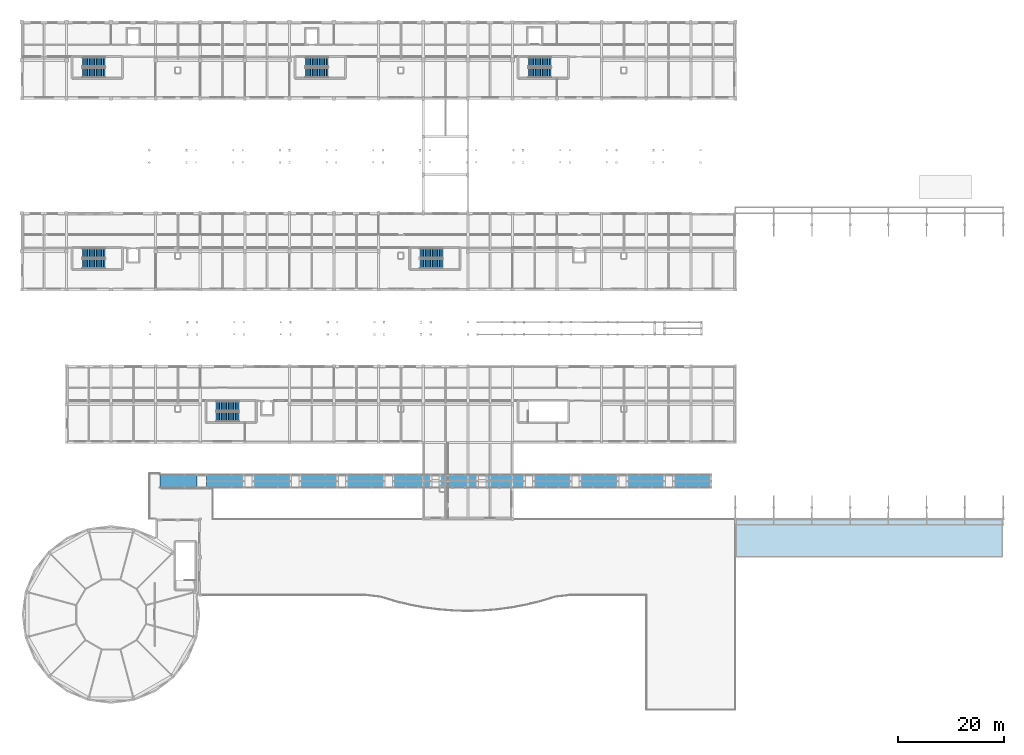
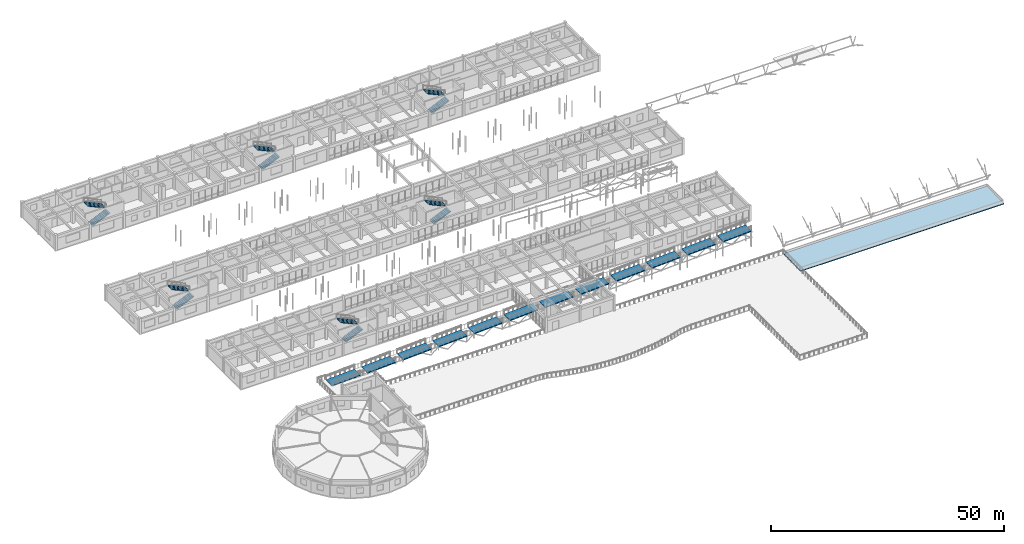
# One storey, part 80 of 90: 12 ramp flights, 12 stair flights, 1 roof, 7 elements without a shape of their own.
"""IFC4 building model written with IfcOpenShell, lengths in metres."""

from ifc_helpers import new_model, si_unit, direction, frame, origin, place, context, subcontext, project, spatial, polyline, outline, extrude, material, layer, layer_set, type_object, element, aggregate, save


model = new_model("IFC4")

# Units and contexts
model_context = context("Model", 3, precision=1e-05, world=origin(), true_north=direction((0.0, 1.0)))
body_context = subcontext(model_context, "Body", "Model", "MODEL_VIEW")
ifc_project = project(units=[si_unit("LENGTHUNIT", "METRE"), si_unit("AREAUNIT", "SQUARE_METRE"), si_unit("VOLUMEUNIT", "CUBIC_METRE"), si_unit("PLANEANGLEUNIT", "RADIAN"), si_unit("MASSUNIT", "GRAM", prefix="KILO")], contexts=[model_context])

# Site, building, storey
site_placement = place(None, origin())
site = spatial("IfcSite", under=ifc_project, at=site_placement, CompositionType="ELEMENT")
building_placement = place(site_placement, origin())
building = spatial("IfcBuilding", under=site, at=building_placement, Name="Malvenik Polytechnic", CompositionType="ELEMENT")
storey_placement = place(building_placement, frame((0.0, 0.0, 9.300048828125)))
storey = spatial("IfcBuildingStorey", under=building, at=storey_placement, Name="L02", CompositionType="ELEMENT", Elevation=9.300048828125)

# Stair, stair flights
ifc_material_1 = material(Name="Concrete C35/45", Category="concrete")
stair_type_1 = type_object("IfcStairType", Name="ARC-STR-ST-01", PredefinedType="HALF_TURN_STAIR", material=ifc_material_1)
stair_1_placement = place(storey_placement, origin())
stair_1 = element("IfcStair", 1, at=stair_1_placement, inside=storey, type_object=stair_type_1, Name="L02 Escape Stair ST-01", PredefinedType="HALF_TURN_STAIR")
ifc_layer_1 = layer(ifc_material_1, 0.159912109375)
ifc_layer_set_1 = layer_set([ifc_layer_1], Name="Concrete C35/45")
stair_flight_type_1 = type_object("IfcStairFlightType", Name="ARC-SFL-SFL-180A", PredefinedType="STRAIGHT", material=ifc_layer_set_1)
stair_flight_1_placement = place(storey_placement, frame((11.39990234375, 120.050048828125, 0.0), z_axis=(0.0, 0.0, 1.0), x_axis=(1.0, 0.0, 0.0)))
stair_flight_1 = element("IfcStairFlight", 2, at=stair_flight_1_placement, type_object=stair_flight_type_1, Name="ST-01 flight 1", NumberOfRisers=14, NumberOfTreads=13, PredefinedType="STRAIGHT", RiserHeight=0.15, TreadLength=0.33, context=body_context, shape_type="SweptSolid", body=[
    extrude(outline(polyline([(0.0, 0.0), (0.0, 0.14990234375), (0.330078125, 0.14990234375), (0.330078125, 0.300048828125), (0.659912109375, 0.300048828125), (0.659912109375, 0.449951171875), (0.989990234375, 0.449951171875), (0.989990234375, 0.60009765625), (1.320068359375, 0.60009765625), (1.320068359375, 0.75), (1.64990234375, 0.75), (1.64990234375, 0.89990234375), (1.97998046875, 0.89990234375), (1.97998046875, 1.050048828125), (2.31005859375, 1.050048828125), (2.31005859375, 1.199951171875), (2.639892578125, 1.199951171875), (2.639892578125, 1.35009765625), (2.969970703125, 1.35009765625), (2.969970703125, 1.5), (3.300048828125, 1.5), (3.300048828125, 1.64990234375), (3.6298828125, 1.64990234375), (3.6298828125, 1.800048828125), (3.9599609375, 1.800048828125), (3.9599609375, 1.949951171875), (4.2900390625, 1.949951171875), (4.2900390625, 2.10009765625), (4.2900390625, 1.7744140625), (0.386474609375, 0.0), (0.0, 0.0)])), frame((0.0, 0.89990234375, 0.0), z_axis=(0.0, -1.0, 0.0), x_axis=(1.0, 0.0, 0.0)), (0.0, 0.0, 1.0), 1.800048828125),
])
stair_flight_2_placement = place(storey_placement, frame((15.68994140625, 122.050048828125, 2.099853515625), z_axis=(0.0, 0.0, 1.0), x_axis=(-1.0, 0.0, 0.0)))
stair_flight_2 = element("IfcStairFlight", 3, at=stair_flight_2_placement, type_object=stair_flight_type_1, Name="ST-01 flight 2", NumberOfRisers=14, NumberOfTreads=13, PredefinedType="STRAIGHT", RiserHeight=0.15, TreadLength=0.33, context=body_context, shape_type="SweptSolid", body=[
    extrude(outline(polyline([(0.0, 0.0), (0.0, 0.14990234375), (0.330078125, 0.14990234375), (0.330078125, 0.300048828125), (0.659912109375, 0.300048828125), (0.659912109375, 0.449951171875), (0.989990234375, 0.449951171875), (0.989990234375, 0.60009765625), (1.320068359375, 0.60009765625), (1.320068359375, 0.75), (1.64990234375, 0.75), (1.64990234375, 0.89990234375), (1.97998046875, 0.89990234375), (1.97998046875, 1.050048828125), (2.31005859375, 1.050048828125), (2.31005859375, 1.199951171875), (2.639892578125, 1.199951171875), (2.639892578125, 1.35009765625), (2.969970703125, 1.35009765625), (2.969970703125, 1.5), (3.300048828125, 1.5), (3.300048828125, 1.64990234375), (3.6298828125, 1.64990234375), (3.6298828125, 1.800048828125), (3.9599609375, 1.800048828125), (3.9599609375, 1.949951171875), (4.2900390625, 1.949951171875), (4.2900390625, 2.10009765625), (4.2900390625, 1.7744140625), (0.386474609375, 0.0), (0.0, 0.0)])), frame((0.0, 0.89990234375, 0.0), z_axis=(0.0, -1.0, 0.0), x_axis=(1.0, 0.0, 0.0)), (0.0, 0.0, 1.0), 1.800048828125),
])
aggregate(stair_1, [stair_flight_1, stair_flight_2])

stair_type_2 = type_object("IfcStairType", Name="ARC-STR-ST-03", PredefinedType="HALF_TURN_STAIR", material=ifc_material_1)
stair_2_placement = place(storey_placement, origin())
stair_2 = element("IfcStair", 4, at=stair_2_placement, inside=storey, type_object=stair_type_2, Name="L02 Escape Stair ST-03", PredefinedType="HALF_TURN_STAIR")
stair_flight_3_placement = place(storey_placement, frame((95.39990234375, 120.050048828125, 0.0), z_axis=(0.0, 0.0, 1.0), x_axis=(1.0, 0.0, 0.0)))
stair_flight_3 = element("IfcStairFlight", 5, at=stair_flight_3_placement, type_object=stair_flight_type_1, Name="ST-03 flight 1", NumberOfRisers=14, NumberOfTreads=13, PredefinedType="STRAIGHT", RiserHeight=0.15, TreadLength=0.33, context=body_context, shape_type="SweptSolid", body=[
    extrude(outline(polyline([(0.0, 0.0), (0.0, 0.14990234375), (0.330078125, 0.14990234375), (0.330078125, 0.300048828125), (0.659912109375, 0.300048828125), (0.659912109375, 0.449951171875), (0.989990234375, 0.449951171875), (0.989990234375, 0.60009765625), (1.320068359375, 0.60009765625), (1.320068359375, 0.75), (1.64990234375, 0.75), (1.64990234375, 0.89990234375), (1.97998046875, 0.89990234375), (1.97998046875, 1.050048828125), (2.31005859375, 1.050048828125), (2.31005859375, 1.199951171875), (2.639892578125, 1.199951171875), (2.639892578125, 1.35009765625), (2.969970703125, 1.35009765625), (2.969970703125, 1.5), (3.300048828125, 1.5), (3.300048828125, 1.64990234375), (3.6298828125, 1.64990234375), (3.6298828125, 1.800048828125), (3.9599609375, 1.800048828125), (3.9599609375, 1.949951171875), (4.2900390625, 1.949951171875), (4.2900390625, 2.10009765625), (4.2900390625, 1.7744140625), (0.386474609375, 0.0), (0.0, 0.0)])), frame((0.0, 0.89990234375, 0.0), z_axis=(0.0, -1.0, 0.0), x_axis=(1.0, 0.0, 0.0)), (0.0, 0.0, 1.0), 1.800048828125),
])
stair_flight_4_placement = place(storey_placement, frame((99.68994140625, 122.050048828125, 2.099853515625), z_axis=(0.0, 0.0, 1.0), x_axis=(-1.0, 0.0, 0.0)))
stair_flight_4 = element("IfcStairFlight", 6, at=stair_flight_4_placement, type_object=stair_flight_type_1, Name="ST-03 flight 2", NumberOfRisers=14, NumberOfTreads=13, PredefinedType="STRAIGHT", RiserHeight=0.15, TreadLength=0.33, context=body_context, shape_type="SweptSolid", body=[
    extrude(outline(polyline([(0.0, 0.0), (0.0, 0.14990234375), (0.330078125, 0.14990234375), (0.330078125, 0.300048828125), (0.659912109375, 0.300048828125), (0.659912109375, 0.449951171875), (0.989990234375, 0.449951171875), (0.989990234375, 0.60009765625), (1.320068359375, 0.60009765625), (1.320068359375, 0.75), (1.64990234375, 0.75), (1.64990234375, 0.89990234375), (1.97998046875, 0.89990234375), (1.97998046875, 1.050048828125), (2.31005859375, 1.050048828125), (2.31005859375, 1.199951171875), (2.639892578125, 1.199951171875), (2.639892578125, 1.35009765625), (2.969970703125, 1.35009765625), (2.969970703125, 1.5), (3.300048828125, 1.5), (3.300048828125, 1.64990234375), (3.6298828125, 1.64990234375), (3.6298828125, 1.800048828125), (3.9599609375, 1.800048828125), (3.9599609375, 1.949951171875), (4.2900390625, 1.949951171875), (4.2900390625, 2.10009765625), (4.2900390625, 1.7744140625), (0.386474609375, 0.0), (0.0, 0.0)])), frame((0.0, 0.89990234375, 0.0), z_axis=(0.0, -1.0, 0.0), x_axis=(1.0, 0.0, 0.0)), (0.0, 0.0, 1.0), 1.800048828125),
])
aggregate(stair_2, [stair_flight_3, stair_flight_4])

stair_type_3 = type_object("IfcStairType", Name="ARC-STR-ST-05", PredefinedType="HALF_TURN_STAIR", material=ifc_material_1)
stair_3_placement = place(storey_placement, origin())
stair_3 = element("IfcStair", 7, at=stair_3_placement, inside=storey, type_object=stair_type_3, Name="L02 Escape Stair ST-05", PredefinedType="HALF_TURN_STAIR")
stair_flight_5_placement = place(storey_placement, frame((75.0, 84.050048828125, 0.0), z_axis=(0.0, 0.0, 1.0), x_axis=(1.0, 0.0, 0.0)))
stair_flight_5 = element("IfcStairFlight", 8, at=stair_flight_5_placement, type_object=stair_flight_type_1, Name="ST-05 flight 1", NumberOfRisers=14, NumberOfTreads=13, PredefinedType="STRAIGHT", RiserHeight=0.15, TreadLength=0.33, context=body_context, shape_type="SweptSolid", body=[
    extrude(outline(polyline([(0.0, 0.0), (0.0, 0.14990234375), (0.330078125, 0.14990234375), (0.330078125, 0.300048828125), (0.659912109375, 0.300048828125), (0.659912109375, 0.449951171875), (0.989990234375, 0.449951171875), (0.989990234375, 0.60009765625), (1.320068359375, 0.60009765625), (1.320068359375, 0.75), (1.64990234375, 0.75), (1.64990234375, 0.89990234375), (1.97998046875, 0.89990234375), (1.97998046875, 1.050048828125), (2.31005859375, 1.050048828125), (2.31005859375, 1.199951171875), (2.639892578125, 1.199951171875), (2.639892578125, 1.35009765625), (2.969970703125, 1.35009765625), (2.969970703125, 1.5), (3.300048828125, 1.5), (3.300048828125, 1.64990234375), (3.6298828125, 1.64990234375), (3.6298828125, 1.800048828125), (3.9599609375, 1.800048828125), (3.9599609375, 1.949951171875), (4.2900390625, 1.949951171875), (4.2900390625, 2.10009765625), (4.2900390625, 1.7744140625), (0.386474609375, 0.0), (0.0, 0.0)])), frame((0.0, 0.89990234375, 0.0), z_axis=(0.0, -1.0, 0.0), x_axis=(1.0, 0.0, 0.0)), (0.0, 0.0, 1.0), 1.800048828125),
])
stair_flight_6_placement = place(storey_placement, frame((79.2900390625, 86.050048828125, 2.099853515625), z_axis=(0.0, 0.0, 1.0), x_axis=(-1.0, 0.0, 0.0)))
stair_flight_6 = element("IfcStairFlight", 9, at=stair_flight_6_placement, type_object=stair_flight_type_1, Name="ST-05 flight 2", NumberOfRisers=14, NumberOfTreads=13, PredefinedType="STRAIGHT", RiserHeight=0.15, TreadLength=0.33, context=body_context, shape_type="SweptSolid", body=[
    extrude(outline(polyline([(0.0, 0.0), (0.0, 0.14990234375), (0.330078125, 0.14990234375), (0.330078125, 0.300048828125), (0.659912109375, 0.300048828125), (0.659912109375, 0.449951171875), (0.989990234375, 0.449951171875), (0.989990234375, 0.60009765625), (1.320068359375, 0.60009765625), (1.320068359375, 0.75), (1.64990234375, 0.75), (1.64990234375, 0.89990234375), (1.97998046875, 0.89990234375), (1.97998046875, 1.050048828125), (2.31005859375, 1.050048828125), (2.31005859375, 1.199951171875), (2.639892578125, 1.199951171875), (2.639892578125, 1.35009765625), (2.969970703125, 1.35009765625), (2.969970703125, 1.5), (3.300048828125, 1.5), (3.300048828125, 1.64990234375), (3.6298828125, 1.64990234375), (3.6298828125, 1.800048828125), (3.9599609375, 1.800048828125), (3.9599609375, 1.949951171875), (4.2900390625, 1.949951171875), (4.2900390625, 2.10009765625), (4.2900390625, 1.7744140625), (0.386474609375, 0.0), (0.0, 0.0)])), frame((0.0, 0.89990234375, 0.0), z_axis=(0.0, -1.0, 0.0), x_axis=(1.0, 0.0, 0.0)), (0.0, 0.0, 1.0), 1.800048828125),
])
aggregate(stair_3, [stair_flight_5, stair_flight_6])

stair_type_4 = type_object("IfcStairType", Name="ARC-STR-ST-02", PredefinedType="HALF_TURN_STAIR", material=ifc_material_1)
stair_4_placement = place(storey_placement, origin())
stair_4 = element("IfcStair", 10, at=stair_4_placement, inside=storey, type_object=stair_type_4, Name="L02 Escape Stair ST-02", PredefinedType="HALF_TURN_STAIR")
ifc_layer_2 = layer(ifc_material_1, 0.179931640625)
ifc_layer_set_2 = layer_set([ifc_layer_2], Name="Concrete C35/45")
stair_flight_type_2 = type_object("IfcStairFlightType", Name="ARC-SFL-SFL-180B", PredefinedType="STRAIGHT", material=ifc_layer_set_2)
stair_flight_7_placement = place(storey_placement, frame((53.39990234375, 120.050048828125, 0.0), z_axis=(0.0, 0.0, 1.0), x_axis=(1.0, 0.0, 0.0)))
stair_flight_7 = element("IfcStairFlight", 11, at=stair_flight_7_placement, type_object=stair_flight_type_2, Name="ST-02 flight 1", NumberOfRisers=14, NumberOfTreads=13, PredefinedType="STRAIGHT", RiserHeight=0.15, TreadLength=0.33, context=body_context, shape_type="SweptSolid", body=[
    extrude(outline(polyline([(0.0, 0.0), (0.0, 0.14990234375), (0.330078125, 0.14990234375), (0.330078125, 0.300048828125), (0.659912109375, 0.300048828125), (0.659912109375, 0.449951171875), (0.989990234375, 0.449951171875), (0.989990234375, 0.60009765625), (1.320068359375, 0.60009765625), (1.320068359375, 0.75), (1.64990234375, 0.75), (1.64990234375, 0.89990234375), (1.97998046875, 0.89990234375), (1.97998046875, 1.050048828125), (2.31005859375, 1.050048828125), (2.31005859375, 1.199951171875), (2.639892578125, 1.199951171875), (2.639892578125, 1.35009765625), (2.969970703125, 1.35009765625), (2.969970703125, 1.5), (3.300048828125, 1.5), (3.300048828125, 1.64990234375), (3.6298828125, 1.64990234375), (3.6298828125, 1.800048828125), (3.9599609375, 1.800048828125), (3.9599609375, 1.949951171875), (4.2900390625, 1.949951171875), (4.2900390625, 2.10009765625), (4.2900390625, 1.7744140625), (0.386474609375, 0.0), (0.0, 0.0)])), frame((0.0, 0.89990234375, 0.0), z_axis=(0.0, -1.0, 0.0), x_axis=(1.0, 0.0, 0.0)), (0.0, 0.0, 1.0), 1.800048828125),
])
stair_flight_8_placement = place(storey_placement, frame((57.68994140625, 122.050048828125, 2.099853515625), z_axis=(0.0, 0.0, 1.0), x_axis=(-1.0, 0.0, 0.0)))
stair_flight_8 = element("IfcStairFlight", 12, at=stair_flight_8_placement, type_object=stair_flight_type_2, Name="ST-02 flight 2", NumberOfRisers=14, NumberOfTreads=13, PredefinedType="STRAIGHT", RiserHeight=0.15, TreadLength=0.33, context=body_context, shape_type="SweptSolid", body=[
    extrude(outline(polyline([(0.0, 0.0), (0.0, 0.14990234375), (0.330078125, 0.14990234375), (0.330078125, 0.300048828125), (0.659912109375, 0.300048828125), (0.659912109375, 0.449951171875), (0.989990234375, 0.449951171875), (0.989990234375, 0.60009765625), (1.320068359375, 0.60009765625), (1.320068359375, 0.75), (1.64990234375, 0.75), (1.64990234375, 0.89990234375), (1.97998046875, 0.89990234375), (1.97998046875, 1.050048828125), (2.31005859375, 1.050048828125), (2.31005859375, 1.199951171875), (2.639892578125, 1.199951171875), (2.639892578125, 1.35009765625), (2.969970703125, 1.35009765625), (2.969970703125, 1.5), (3.300048828125, 1.5), (3.300048828125, 1.64990234375), (3.6298828125, 1.64990234375), (3.6298828125, 1.800048828125), (3.9599609375, 1.800048828125), (3.9599609375, 1.949951171875), (4.2900390625, 1.949951171875), (4.2900390625, 2.10009765625), (4.2900390625, 1.7744140625), (0.386474609375, 0.0), (0.0, 0.0)])), frame((0.0, 0.89990234375, 0.0), z_axis=(0.0, -1.0, 0.0), x_axis=(1.0, 0.0, 0.0)), (0.0, 0.0, 1.0), 1.800048828125),
])
aggregate(stair_4, [stair_flight_7, stair_flight_8])

stair_type_5 = type_object("IfcStairType", Name="ARC-STR-ST-04", PredefinedType="HALF_TURN_STAIR", material=ifc_material_1)
stair_5_placement = place(storey_placement, origin())
stair_5 = element("IfcStair", 13, at=stair_5_placement, inside=storey, type_object=stair_type_5, Name="L02 Escape Stair ST-04", PredefinedType="HALF_TURN_STAIR")
stair_flight_9_placement = place(storey_placement, frame((11.39990234375, 84.050048828125, 0.0), z_axis=(0.0, 0.0, 1.0), x_axis=(1.0, 0.0, 0.0)))
stair_flight_9 = element("IfcStairFlight", 14, at=stair_flight_9_placement, type_object=stair_flight_type_2, Name="ST-04 flight 1", NumberOfRisers=14, NumberOfTreads=13, PredefinedType="STRAIGHT", RiserHeight=0.15, TreadLength=0.33, context=body_context, shape_type="SweptSolid", body=[
    extrude(outline(polyline([(0.0, 0.0), (0.0, 0.14990234375), (0.330078125, 0.14990234375), (0.330078125, 0.300048828125), (0.659912109375, 0.300048828125), (0.659912109375, 0.449951171875), (0.989990234375, 0.449951171875), (0.989990234375, 0.60009765625), (1.320068359375, 0.60009765625), (1.320068359375, 0.75), (1.64990234375, 0.75), (1.64990234375, 0.89990234375), (1.97998046875, 0.89990234375), (1.97998046875, 1.050048828125), (2.31005859375, 1.050048828125), (2.31005859375, 1.199951171875), (2.639892578125, 1.199951171875), (2.639892578125, 1.35009765625), (2.969970703125, 1.35009765625), (2.969970703125, 1.5), (3.300048828125, 1.5), (3.300048828125, 1.64990234375), (3.6298828125, 1.64990234375), (3.6298828125, 1.800048828125), (3.9599609375, 1.800048828125), (3.9599609375, 1.949951171875), (4.2900390625, 1.949951171875), (4.2900390625, 2.10009765625), (4.2900390625, 1.7744140625), (0.386474609375, 0.0), (0.0, 0.0)])), frame((0.0, 0.89990234375, 0.0), z_axis=(0.0, -1.0, 0.0), x_axis=(1.0, 0.0, 0.0)), (0.0, 0.0, 1.0), 1.800048828125),
])
stair_flight_10_placement = place(storey_placement, frame((15.68994140625, 86.050048828125, 2.099853515625), z_axis=(0.0, 0.0, 1.0), x_axis=(-1.0, 0.0, 0.0)))
stair_flight_10 = element("IfcStairFlight", 15, at=stair_flight_10_placement, type_object=stair_flight_type_2, Name="ST-04 flight 2", NumberOfRisers=14, NumberOfTreads=13, PredefinedType="STRAIGHT", RiserHeight=0.15, TreadLength=0.33, context=body_context, shape_type="SweptSolid", body=[
    extrude(outline(polyline([(0.0, 0.0), (0.0, 0.14990234375), (0.330078125, 0.14990234375), (0.330078125, 0.300048828125), (0.659912109375, 0.300048828125), (0.659912109375, 0.449951171875), (0.989990234375, 0.449951171875), (0.989990234375, 0.60009765625), (1.320068359375, 0.60009765625), (1.320068359375, 0.75), (1.64990234375, 0.75), (1.64990234375, 0.89990234375), (1.97998046875, 0.89990234375), (1.97998046875, 1.050048828125), (2.31005859375, 1.050048828125), (2.31005859375, 1.199951171875), (2.639892578125, 1.199951171875), (2.639892578125, 1.35009765625), (2.969970703125, 1.35009765625), (2.969970703125, 1.5), (3.300048828125, 1.5), (3.300048828125, 1.64990234375), (3.6298828125, 1.64990234375), (3.6298828125, 1.800048828125), (3.9599609375, 1.800048828125), (3.9599609375, 1.949951171875), (4.2900390625, 1.949951171875), (4.2900390625, 2.10009765625), (4.2900390625, 1.7744140625), (0.386474609375, 0.0), (0.0, 0.0)])), frame((0.0, 0.89990234375, 0.0), z_axis=(0.0, -1.0, 0.0), x_axis=(1.0, 0.0, 0.0)), (0.0, 0.0, 1.0), 1.800048828125),
])
aggregate(stair_5, [stair_flight_9, stair_flight_10])

stair_type_6 = type_object("IfcStairType", Name="ARC-STR-ST-06", PredefinedType="HALF_TURN_STAIR", material=ifc_material_1)
stair_6_placement = place(storey_placement, origin())
stair_6 = element("IfcStair", 16, at=stair_6_placement, inside=storey, type_object=stair_type_6, Name="L02 Escape Stair ST-06", PredefinedType="HALF_TURN_STAIR")
stair_flight_11_placement = place(storey_placement, frame((36.60009765625, 55.25, 0.0), z_axis=(0.0, 0.0, 1.0), x_axis=(1.0, 0.0, 0.0)))
stair_flight_11 = element("IfcStairFlight", 17, at=stair_flight_11_placement, type_object=stair_flight_type_2, Name="ST-06 flight 1", NumberOfRisers=14, NumberOfTreads=13, PredefinedType="STRAIGHT", RiserHeight=0.15, TreadLength=0.33, context=body_context, shape_type="SweptSolid", body=[
    extrude(outline(polyline([(0.0, 0.0), (0.0, 0.14990234375), (0.330078125, 0.14990234375), (0.330078125, 0.300048828125), (0.659912109375, 0.300048828125), (0.659912109375, 0.449951171875), (0.989990234375, 0.449951171875), (0.989990234375, 0.60009765625), (1.320068359375, 0.60009765625), (1.320068359375, 0.75), (1.64990234375, 0.75), (1.64990234375, 0.89990234375), (1.97998046875, 0.89990234375), (1.97998046875, 1.050048828125), (2.31005859375, 1.050048828125), (2.31005859375, 1.199951171875), (2.639892578125, 1.199951171875), (2.639892578125, 1.35009765625), (2.969970703125, 1.35009765625), (2.969970703125, 1.5), (3.300048828125, 1.5), (3.300048828125, 1.64990234375), (3.6298828125, 1.64990234375), (3.6298828125, 1.800048828125), (3.9599609375, 1.800048828125), (3.9599609375, 1.949951171875), (4.2900390625, 1.949951171875), (4.2900390625, 2.10009765625), (4.2900390625, 1.7744140625), (0.386474609375, 0.0), (0.0, 0.0)])), frame((0.0, 0.89990234375, 0.0), z_axis=(0.0, -1.0, 0.0), x_axis=(1.0, 0.0, 0.0)), (0.0, 0.0, 1.0), 1.800048828125),
])
stair_flight_12_placement = place(storey_placement, frame((40.889892578125, 57.25, 2.099853515625), z_axis=(0.0, 0.0, 1.0), x_axis=(-1.0, 0.0, 0.0)))
stair_flight_12 = element("IfcStairFlight", 18, at=stair_flight_12_placement, type_object=stair_flight_type_2, Name="ST-06 flight 2", NumberOfRisers=14, NumberOfTreads=13, PredefinedType="STRAIGHT", RiserHeight=0.15, TreadLength=0.33, context=body_context, shape_type="SweptSolid", body=[
    extrude(outline(polyline([(0.0, 0.0), (0.0, 0.14990234375), (0.330078125, 0.14990234375), (0.330078125, 0.300048828125), (0.659912109375, 0.300048828125), (0.659912109375, 0.449951171875), (0.989990234375, 0.449951171875), (0.989990234375, 0.60009765625), (1.320068359375, 0.60009765625), (1.320068359375, 0.75), (1.64990234375, 0.75), (1.64990234375, 0.89990234375), (1.97998046875, 0.89990234375), (1.97998046875, 1.050048828125), (2.31005859375, 1.050048828125), (2.31005859375, 1.199951171875), (2.639892578125, 1.199951171875), (2.639892578125, 1.35009765625), (2.969970703125, 1.35009765625), (2.969970703125, 1.5), (3.300048828125, 1.5), (3.300048828125, 1.64990234375), (3.6298828125, 1.64990234375), (3.6298828125, 1.800048828125), (3.9599609375, 1.800048828125), (3.9599609375, 1.949951171875), (4.2900390625, 1.949951171875), (4.2900390625, 2.10009765625), (4.2900390625, 1.7744140625), (0.386474609375, 0.0), (0.0, 0.0)])), frame((0.0, 0.89990234375, 0.0), z_axis=(0.0, -1.0, 0.0), x_axis=(1.0, 0.0, 0.0)), (0.0, 0.0, 1.0), 1.800048828125),
])
aggregate(stair_6, [stair_flight_11, stair_flight_12])

# Ramp, ramp flights
ramp_type = type_object("IfcRampType", Name="ARC-RMP-PED", PredefinedType="STRAIGHT_RUN_RAMP", material=ifc_material_1)
ramp_placement = place(storey_placement, origin())
ramp = element("IfcRamp", 19, at=ramp_placement, inside=storey, type_object=ramp_type, Name="Accessible Pedestrian Ramp RB-01", PredefinedType="STRAIGHT_RUN_RAMP")
ifc_layer_3 = layer(ifc_material_1, 0.25)
ifc_layer_set_3 = layer_set([ifc_layer_3], Name="Concrete C35/45")
ramp_flight_type = type_object("IfcRampFlightType", Name="ARC-RFL-PED", PredefinedType="STRAIGHT", material=ifc_layer_set_3)
ramp_flight_1_placement = place(storey_placement, frame((26.0, 43.10009765625, 0.0), z_axis=(0.0, 0.0, 1.0), x_axis=(1.0, 0.0, 0.0)))
ramp_flight_1 = element("IfcRampFlight", 20, at=ramp_flight_1_placement, type_object=ramp_flight_type, Name="Ramp Flight RB-01 #1", PredefinedType="STRAIGHT", context=body_context, shape_type="SweptSolid", body=[
    extrude(outline(polyline([(0.0, -0.25), (7.0, 0.099853515625), (7.0, 0.349853515625), (0.0, 0.0), (0.0, -0.25)])), frame((0.0, 1.300048828125, 0.0), z_axis=(0.0, -1.0, 0.0), x_axis=(1.0, 0.0, 0.0)), (0.0, 0.0, 1.0), 2.60009765625),
])
ramp_flight_2_placement = place(storey_placement, frame((34.800048828125, 43.10009765625, 0.349853515625), z_axis=(0.0, 0.0, 1.0), x_axis=(1.0, 0.0, 0.0)))
ramp_flight_2 = element("IfcRampFlight", 21, at=ramp_flight_2_placement, type_object=ramp_flight_type, Name="Ramp Flight RB-01 #2", PredefinedType="STRAIGHT", context=body_context, shape_type="SweptSolid", body=[
    extrude(outline(polyline([(0.0, -0.25), (7.0, 0.10009765625), (7.0, 0.35009765625), (0.0, 0.0), (0.0, -0.25)])), frame((0.0, 1.300048828125, 0.0), z_axis=(0.0, -1.0, 0.0), x_axis=(1.0, 0.0, 0.0)), (0.0, 0.0, 1.0), 2.60009765625),
])
ramp_flight_3_placement = place(storey_placement, frame((43.60009765625, 43.10009765625, 0.699951171875), z_axis=(0.0, 0.0, 1.0), x_axis=(1.0, 0.0, 0.0)))
ramp_flight_3 = element("IfcRampFlight", 22, at=ramp_flight_3_placement, type_object=ramp_flight_type, Name="Ramp Flight RB-01 #3", PredefinedType="STRAIGHT", context=body_context, shape_type="SweptSolid", body=[
    extrude(outline(polyline([(0.0, -0.25), (7.0, 0.10009765625), (7.0, 0.35009765625), (0.0, 0.0), (0.0, -0.25)])), frame((0.0, 1.300048828125, 0.0), z_axis=(0.0, -1.0, 0.0), x_axis=(1.0, 0.0, 0.0)), (0.0, 0.0, 1.0), 2.60009765625),
])
ramp_flight_4_placement = place(storey_placement, frame((52.39990234375, 43.10009765625, 1.050048828125), z_axis=(0.0, 0.0, 1.0), x_axis=(1.0, 0.0, 0.0)))
ramp_flight_4 = element("IfcRampFlight", 23, at=ramp_flight_4_placement, type_object=ramp_flight_type, Name="Ramp Flight RB-01 #4", PredefinedType="STRAIGHT", context=body_context, shape_type="SweptSolid", body=[
    extrude(outline(polyline([(0.0, -0.25), (7.0, 0.099853515625), (7.0, 0.349853515625), (0.0, 0.0), (0.0, -0.25)])), frame((0.0, 1.300048828125, 0.0), z_axis=(0.0, -1.0, 0.0), x_axis=(1.0, 0.0, 0.0)), (0.0, 0.0, 1.0), 2.60009765625),
])
ramp_flight_5_placement = place(storey_placement, frame((61.199951171875, 43.10009765625, 1.39990234375), z_axis=(0.0, 0.0, 1.0), x_axis=(1.0, 0.0, 0.0)))
ramp_flight_5 = element("IfcRampFlight", 24, at=ramp_flight_5_placement, type_object=ramp_flight_type, Name="Ramp Flight RB-01 #5", PredefinedType="STRAIGHT", context=body_context, shape_type="SweptSolid", body=[
    extrude(outline(polyline([(0.0, -0.25), (7.0, 0.10009765625), (7.0, 0.35009765625), (0.0, 0.0), (0.0, -0.25)])), frame((0.0, 1.300048828125, 0.0), z_axis=(0.0, -1.0, 0.0), x_axis=(1.0, 0.0, 0.0)), (0.0, 0.0, 1.0), 2.60009765625),
])
ramp_flight_6_placement = place(storey_placement, frame((70.0, 43.10009765625, 1.75), z_axis=(0.0, 0.0, 1.0), x_axis=(1.0, 0.0, 0.0)))
ramp_flight_6 = element("IfcRampFlight", 25, at=ramp_flight_6_placement, type_object=ramp_flight_type, Name="Ramp Flight RB-01 #6", PredefinedType="STRAIGHT", context=body_context, shape_type="SweptSolid", body=[
    extrude(outline(polyline([(0.0, -0.25), (7.0, 0.099853515625), (7.0, 0.349853515625), (0.0, 0.0), (0.0, -0.25)])), frame((0.0, 1.300048828125, 0.0), z_axis=(0.0, -1.0, 0.0), x_axis=(1.0, 0.0, 0.0)), (0.0, 0.0, 1.0), 2.60009765625),
])
ramp_flight_7_placement = place(storey_placement, frame((78.800048828125, 43.10009765625, 2.099853515625), z_axis=(0.0, 0.0, 1.0), x_axis=(1.0, 0.0, 0.0)))
ramp_flight_7 = element("IfcRampFlight", 26, at=ramp_flight_7_placement, type_object=ramp_flight_type, Name="Ramp Flight RB-01 #7", PredefinedType="STRAIGHT", context=body_context, shape_type="SweptSolid", body=[
    extrude(outline(polyline([(0.0, -0.25), (7.0, 0.10009765625), (7.0, 0.35009765625), (0.0, 0.0), (0.0, -0.25)])), frame((0.0, 1.300048828125, 0.0), z_axis=(0.0, -1.0, 0.0), x_axis=(1.0, 0.0, 0.0)), (0.0, 0.0, 1.0), 2.60009765625),
])
ramp_flight_8_placement = place(storey_placement, frame((87.60009765625, 43.10009765625, 2.449951171875), z_axis=(0.0, 0.0, 1.0), x_axis=(1.0, 0.0, 0.0)))
ramp_flight_8 = element("IfcRampFlight", 27, at=ramp_flight_8_placement, type_object=ramp_flight_type, Name="Ramp Flight RB-01 #8", PredefinedType="STRAIGHT", context=body_context, shape_type="SweptSolid", body=[
    extrude(outline(polyline([(0.0, -0.25), (7.0, 0.10009765625), (7.0, 0.35009765625), (0.0, 0.0), (0.0, -0.25)])), frame((0.0, 1.300048828125, 0.0), z_axis=(0.0, -1.0, 0.0), x_axis=(1.0, 0.0, 0.0)), (0.0, 0.0, 1.0), 2.60009765625),
])
ramp_flight_9_placement = place(storey_placement, frame((96.39990234375, 43.10009765625, 2.800048828125), z_axis=(0.0, 0.0, 1.0), x_axis=(1.0, 0.0, 0.0)))
ramp_flight_9 = element("IfcRampFlight", 28, at=ramp_flight_9_placement, type_object=ramp_flight_type, Name="Ramp Flight RB-01 #9", PredefinedType="STRAIGHT", context=body_context, shape_type="SweptSolid", body=[
    extrude(outline(polyline([(0.0, -0.25), (7.0, 0.099853515625), (7.0, 0.349853515625), (0.0, 0.0), (0.0, -0.25)])), frame((0.0, 1.300048828125, 0.0), z_axis=(0.0, -1.0, 0.0), x_axis=(1.0, 0.0, 0.0)), (0.0, 0.0, 1.0), 2.60009765625),
])
ramp_flight_10_placement = place(storey_placement, frame((105.199951171875, 43.10009765625, 3.14990234375), z_axis=(0.0, 0.0, 1.0), x_axis=(1.0, 0.0, 0.0)))
ramp_flight_10 = element("IfcRampFlight", 29, at=ramp_flight_10_placement, type_object=ramp_flight_type, Name="Ramp Flight RB-01 #10", PredefinedType="STRAIGHT", context=body_context, shape_type="SweptSolid", body=[
    extrude(outline(polyline([(0.0, -0.25), (7.0, 0.10009765625), (7.0, 0.35009765625), (0.0, 0.0), (0.0, -0.25)])), frame((0.0, 1.300048828125, 0.0), z_axis=(0.0, -1.0, 0.0), x_axis=(1.0, 0.0, 0.0)), (0.0, 0.0, 1.0), 2.60009765625),
])
ramp_flight_11_placement = place(storey_placement, frame((114.0, 43.10009765625, 3.5), z_axis=(0.0, 0.0, 1.0), x_axis=(1.0, 0.0, 0.0)))
ramp_flight_11 = element("IfcRampFlight", 30, at=ramp_flight_11_placement, type_object=ramp_flight_type, Name="Ramp Flight RB-01 #11", PredefinedType="STRAIGHT", context=body_context, shape_type="SweptSolid", body=[
    extrude(outline(polyline([(0.0, -0.25), (7.0, 0.099853515625), (7.0, 0.349853515625), (0.0, 0.0), (0.0, -0.25)])), frame((0.0, 1.300048828125, 0.0), z_axis=(0.0, -1.0, 0.0), x_axis=(1.0, 0.0, 0.0)), (0.0, 0.0, 1.0), 2.60009765625),
])
ramp_flight_12_placement = place(storey_placement, frame((122.800048828125, 43.10009765625, 3.849853515625), z_axis=(0.0, 0.0, 1.0), x_axis=(1.0, 0.0, 0.0)))
ramp_flight_12 = element("IfcRampFlight", 31, at=ramp_flight_12_placement, type_object=ramp_flight_type, Name="Ramp Flight RB-01 #12", PredefinedType="STRAIGHT", context=body_context, shape_type="SweptSolid", body=[
    extrude(outline(polyline([(0.0, -0.25), (7.0, 0.10009765625), (7.0, 0.35009765625), (0.0, 0.0), (0.0, -0.25)])), frame((0.0, 1.300048828125, 0.0), z_axis=(0.0, -1.0, 0.0), x_axis=(1.0, 0.0, 0.0)), (0.0, 0.0, 1.0), 2.60009765625),
])
aggregate(ramp, [ramp_flight_1, ramp_flight_2, ramp_flight_3, ramp_flight_4, ramp_flight_5, ramp_flight_6, ramp_flight_7, ramp_flight_8, ramp_flight_9, ramp_flight_10, ramp_flight_11, ramp_flight_12])

# Roof
ifc_material_2 = material(Name="Standing-seam zinc conical insulated roof deck", Category="metal")
ifc_layer_4 = layer(ifc_material_2, 0.199951171875)
ifc_layer_set_4 = layer_set([ifc_layer_4], Name="Standing-seam zinc conical insulated roof deck")
roof_type = type_object("IfcRoofType", Name="ARC-RF-PAVILION", PredefinedType="PAVILION_ROOF", material=ifc_layer_set_4)
roof_placement = place(storey_placement, frame((134.419921875, 28.800048828125, 0.0), z_axis=(0.0, -0.030537445144, 0.999533623469), x_axis=(1.0, 0.0, 0.0)))
element("IfcRoof", 32, at=roof_placement, inside=storey, type_object=roof_type, Name="Workshop South Wing Monopitch Roof", PredefinedType="PAVILION_ROOF", context=body_context, shape_type="SweptSolid", body=[
    extrude(outline(polyline([(0.0, 0.0), (50.380126953125, 0.0), (50.380126953125, 7.203310626900487), (0.0, 7.203310626900487), (0.0, 0.0)])), origin(), (0.0, 0.0, -1.0), 0.219970703125),
])

save(model, "model.ifc")
